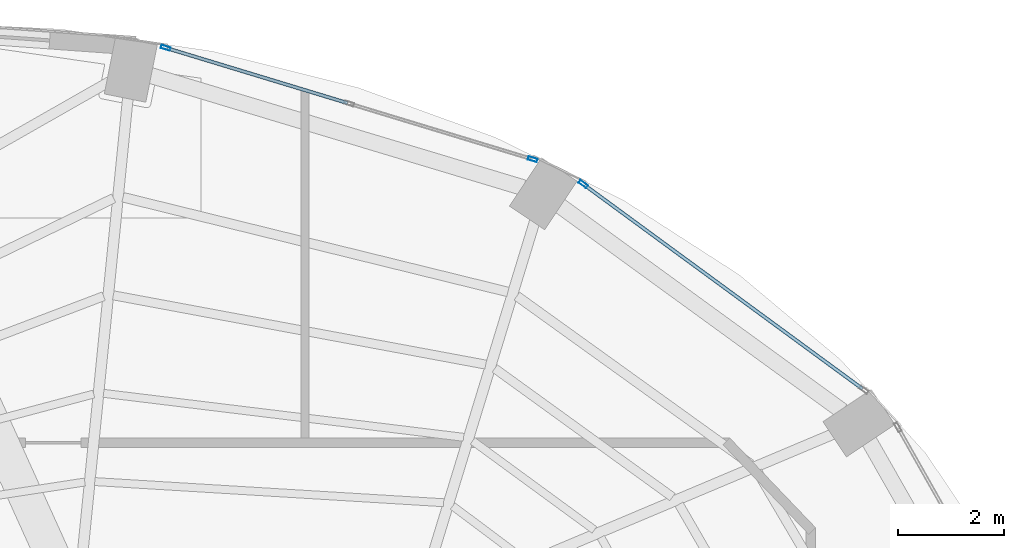
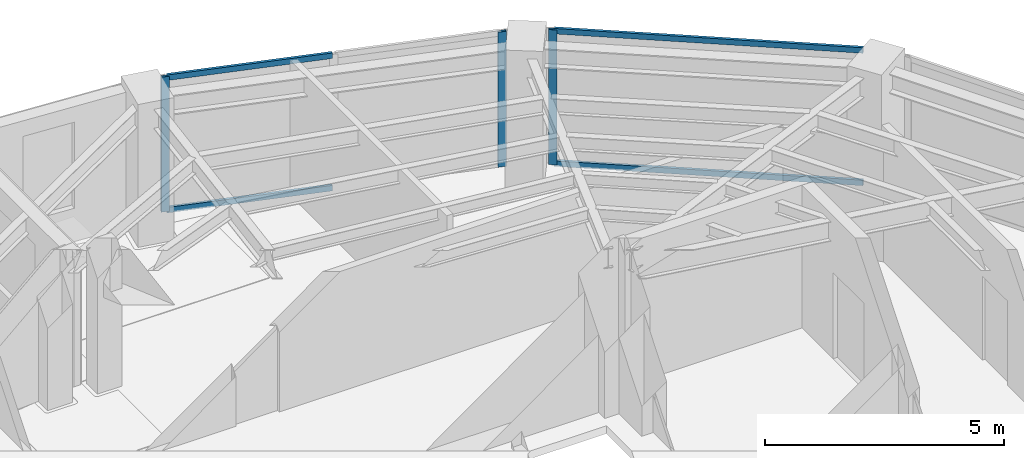
# One storey, part 17 of 23: 7 members, 2 elements without a shape of their own.
"""IFC4 building model written with IfcOpenShell, lengths in metres."""

from ifc_helpers import new_model, si_unit, direction, frame, origin, origin_2d, place, context, subcontext, project, spatial, hollow_rectangle, extrude, material, layer, layer_set, material_profile, profile_set, type_object, element, aggregate, save


model = new_model("IFC4")

# Units and contexts
model_context = context("Model", 3, precision=1e-05, world=origin(), true_north=direction((0.0, 1.0)))
body_context = subcontext(model_context, "Body", "Model", "MODEL_VIEW")
ifc_project = project(units=[si_unit("LENGTHUNIT", "METRE"), si_unit("AREAUNIT", "SQUARE_METRE"), si_unit("VOLUMEUNIT", "CUBIC_METRE"), si_unit("PLANEANGLEUNIT", "RADIAN"), si_unit("MASSUNIT", "GRAM", prefix="KILO")], contexts=[model_context])

# Site, building, storey
site_placement = place(None, origin())
site = spatial("IfcSite", under=ifc_project, at=site_placement, CompositionType="ELEMENT")
building_placement = place(site_placement, origin())
building = spatial("IfcBuilding", under=site, at=building_placement, Name="Lazwardi Medical Tower", CompositionType="ELEMENT")
storey_placement = place(building_placement, frame((0.0, 0.0, 213.072021484375)))
storey = spatial("IfcBuildingStorey", under=building, at=storey_placement, Name="L55", CompositionType="ELEMENT", Elevation=213.072021484375)

# Curtain wall, member
ifc_material_1 = material(Name="Anodised bronze aluminium and solar control glazing", Category="aluminium")
ifc_layer = layer(ifc_material_1, 0.18994140625)
ifc_layer_set = layer_set([ifc_layer], Name="Anodised bronze aluminium and solar control glazing")
curtain_wall_type = type_object("IfcCurtainWallType", Name="CW-SYS-04", PredefinedType="NOTDEFINED", material=ifc_layer_set)
curtain_wall_1_placement = place(storey_placement, origin())
curtain_wall_1 = element("IfcCurtainWall", 1, at=curtain_wall_1_placement, inside=storey, type_object=curtain_wall_type, Name="L55 Unitised bronze curtain wall CW-04", PredefinedType="NOTDEFINED")
ifc_material_2 = material(Name="Anodised bronze aluminium", Category="aluminium")
ifc_material_profile_1 = material_profile(ifc_material_2, hollow_rectangle(XDim=0.06494140625, YDim=0.179931640625, WallThickness=0.00390625, at=origin_2d()), Name="ALU-MULLION 180x65x4")
ifc_profile_set_1 = profile_set([ifc_material_profile_1], Name="Anodised bronze aluminium")
member_type_1 = type_object("IfcMemberType", Name="CW-MUL-03", PredefinedType="MULLION", material=ifc_profile_set_1)
member_1_placement = place(storey_placement, frame((48.75537109375, 43.634765625, 0.0), z_axis=(0.0, 0.0, 1.0), x_axis=(-0.591268230971, -0.806474971121, 0.0)))
member_1 = element("IfcMember", 2, at=member_1_placement, type_object=member_type_1, Name="CW-04 mullion 2", PredefinedType="MULLION", context=body_context, shape_type="SweptSolid", body=[
    extrude(hollow_rectangle(XDim=0.06494140625, YDim=0.179931640625, WallThickness=0.00390625, at=origin_2d()), origin(), (0.0, 0.0, 1.0), 3.447998046875),
])

# Curtain wall, members
curtain_wall_2_placement = place(storey_placement, origin())
curtain_wall_2 = element("IfcCurtainWall", 3, at=curtain_wall_2_placement, inside=storey, type_object=curtain_wall_type, Name="L55 Unitised bronze curtain wall CW-04", PredefinedType="NOTDEFINED")
member_2_placement = place(storey_placement, frame((47.7998046875, 44.103515625, 0.0), z_axis=(0.0, 0.0, 1.0), x_axis=(-0.290581889515, -0.956850126972, 0.0)))
member_2 = element("IfcMember", 4, at=member_2_placement, type_object=member_type_1, Name="CW-04 mullion 1", PredefinedType="MULLION", context=body_context, shape_type="SweptSolid", body=[
    extrude(hollow_rectangle(XDim=0.06494140625, YDim=0.179931640625, WallThickness=0.00390625, at=origin_2d()), origin(), (0.0, 0.0, 1.0), 3.447998046875),
])
member_3_placement = place(storey_placement, frame((40.873046875, 46.20703125, 0.0), z_axis=(0.0, 0.0, 1.0), x_axis=(-0.290581889515, -0.956850126972, 0.0)))
member_3 = element("IfcMember", 5, at=member_3_placement, type_object=member_type_1, Name="CW-04 mullion 3", PredefinedType="MULLION", context=body_context, shape_type="SweptSolid", body=[
    extrude(hollow_rectangle(XDim=0.06494140625, YDim=0.179931640625, WallThickness=0.00390625, at=origin_2d()), origin(), (0.0, 0.0, 1.0), 3.447998046875),
])

# Member
ifc_material_profile_2 = material_profile(ifc_material_2, hollow_rectangle(XDim=0.06494140625, YDim=0.139892578125, WallThickness=0.00341796875, at=origin_2d()), Name="ALU-TRANSOM 140x65x3.5")
ifc_profile_set_2 = profile_set([ifc_material_profile_2], Name="Anodised bronze aluminium")
member_type_2 = type_object("IfcMemberType", Name="CW-TRN-03", PredefinedType="USERDEFINED", material=ifc_profile_set_2)
member_4_placement = place(storey_placement, frame((54.02587890625, 39.770751953125, 0.032470703125), z_axis=(-0.806471831148, 0.591272513791, 0.0), x_axis=(-0.591272513791, -0.806471831148, 0.0)))
member_4 = element("IfcMember", 6, at=member_4_placement, type_object=member_type_2, Name="CW-04 transom 1.1", ObjectType="TRANSOM", PredefinedType="USERDEFINED", context=body_context, shape_type="SweptSolid", body=[
    extrude(hollow_rectangle(XDim=0.06494140625, YDim=0.139892578125, WallThickness=0.00341796875, at=origin_2d()), origin(), (0.0, 0.0, 1.0), 6.5029296875),
])

member_5_placement = place(storey_placement, frame((54.02587890625, 39.770751953125, 3.41552734375), z_axis=(-0.806471831148, 0.591272513791, 0.0), x_axis=(-0.591272513791, -0.806471831148, 0.0)))
member_5 = element("IfcMember", 7, at=member_5_placement, type_object=member_type_2, Name="CW-04 transom 1.2", ObjectType="TRANSOM", PredefinedType="USERDEFINED", context=body_context, shape_type="SweptSolid", body=[
    extrude(hollow_rectangle(XDim=0.06494140625, YDim=0.139892578125, WallThickness=0.00341796875, at=origin_2d()), origin(), (0.0, 0.0, 1.0), 6.5029296875),
])

aggregate(curtain_wall_1, [member_1, member_4, member_5])

member_6_placement = place(storey_placement, frame((44.305419921875, 45.164794921875, 0.032470703125), z_axis=(-0.956862505902, 0.290541124109, 0.0), x_axis=(-0.290541124109, -0.956862505902, 0.0)))
member_6 = element("IfcMember", 8, at=member_6_placement, type_object=member_type_2, Name="CW-04 transom 2.1", ObjectType="TRANSOM", PredefinedType="USERDEFINED", context=body_context, shape_type="SweptSolid", body=[
    extrude(hollow_rectangle(XDim=0.06494140625, YDim=0.139892578125, WallThickness=0.00341796875, at=origin_2d()), origin(), (0.0, 0.0, 1.0), 3.554443359375),
])

member_7_placement = place(storey_placement, frame((44.305419921875, 45.164794921875, 3.41552734375), z_axis=(-0.956862505902, 0.290541124109, 0.0), x_axis=(-0.290541124109, -0.956862505902, 0.0)))
member_7 = element("IfcMember", 9, at=member_7_placement, type_object=member_type_2, Name="CW-04 transom 2.2", ObjectType="TRANSOM", PredefinedType="USERDEFINED", context=body_context, shape_type="SweptSolid", body=[
    extrude(hollow_rectangle(XDim=0.06494140625, YDim=0.139892578125, WallThickness=0.00341796875, at=origin_2d()), origin(), (0.0, 0.0, 1.0), 3.554443359375),
])

aggregate(curtain_wall_2, [member_2, member_3, member_6, member_7])

save(model, "model.ifc")
